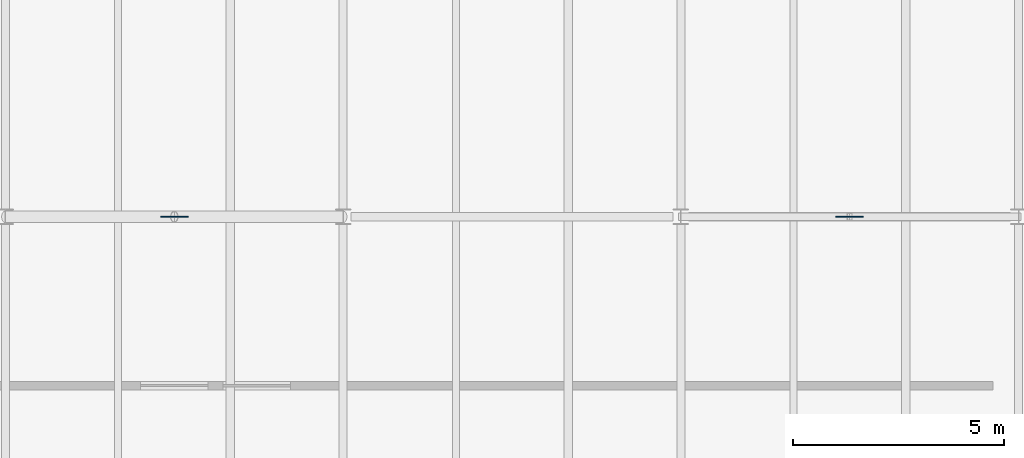
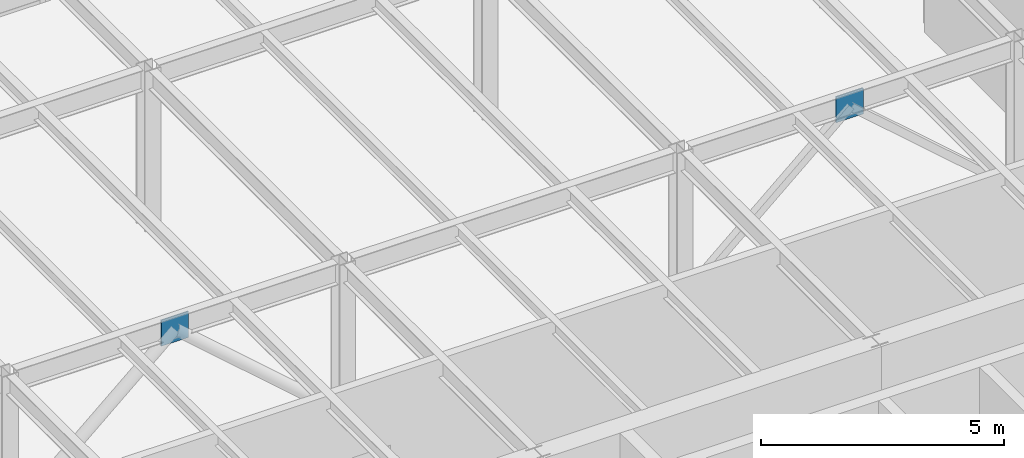
# One storey, part 39 of 50: 2 plates.
"""IFC4 building model written with IfcOpenShell, lengths in metres."""

from ifc_helpers import new_model, si_unit, direction, frame, origin, origin_2d, place, context, subcontext, project, spatial, rectangle, extrude, material, layer, layer_set, type_object, element, save


model = new_model("IFC4")

# Units and contexts
model_context = context("Model", 3, precision=1e-05, world=origin(), true_north=direction((0.0, 1.0)))
body_context = subcontext(model_context, "Body", "Model", "MODEL_VIEW")
ifc_project = project(units=[si_unit("LENGTHUNIT", "METRE"), si_unit("AREAUNIT", "SQUARE_METRE"), si_unit("VOLUMEUNIT", "CUBIC_METRE"), si_unit("PLANEANGLEUNIT", "RADIAN"), si_unit("MASSUNIT", "GRAM", prefix="KILO")], contexts=[model_context])

# Site, building, storey
site_placement = place(None, origin())
site = spatial("IfcSite", under=ifc_project, at=site_placement, CompositionType="ELEMENT")
building_placement = place(site_placement, origin())
building = spatial("IfcBuilding", under=site, at=building_placement, Name="Varnela Railside Interchange", CompositionType="ELEMENT")
storey_placement = place(building_placement, frame((0.0, 0.0, 15.39990234375)))
storey = spatial("IfcBuildingStorey", under=building, at=storey_placement, Name="L03", CompositionType="ELEMENT", Elevation=15.39990234375)

# Plates
ifc_material = material(Name="Steel AR 350 (350 MPa)", Category="steel")
ifc_layer = layer(ifc_material, 0.64990234375)
ifc_layer_set = layer_set([ifc_layer], Name="Steel AR 350 (350 MPa)")
plate_type = type_object("IfcPlateType", Name="Brace Gusset Plate GP-01", PredefinedType="SHEET", material=ifc_layer_set)
for number, where, z_axis, x_axis, name in (
    (1, (16.0, 78.0, 3.3251953125), (0.0, 0.0, 1.0), (1.0, 0.0, 0.0), "Brace Gusset Plate GP-01 (L03) (PL-025)"),
    (2, (32.0, 78.0, 3.3251953125), (0.0, 0.0, 1.0), (1.0, 0.0, 0.0), "Brace Gusset Plate GP-01 (L03) (PL-026)"),
):
    element("IfcPlate", number, at=place(storey_placement, frame(where, z_axis=z_axis, x_axis=x_axis)), inside=storey, type_object=plate_type, Name=name, PredefinedType="SHEET", context=body_context, shape_type="SweptSolid", body=[
        extrude(rectangle(XDim=0.64990234375, YDim=0.030029296875, at=origin_2d()), origin(), (0.0, 0.0, 1.0), 0.64990234375),
    ])

save(model, "model.ifc")
